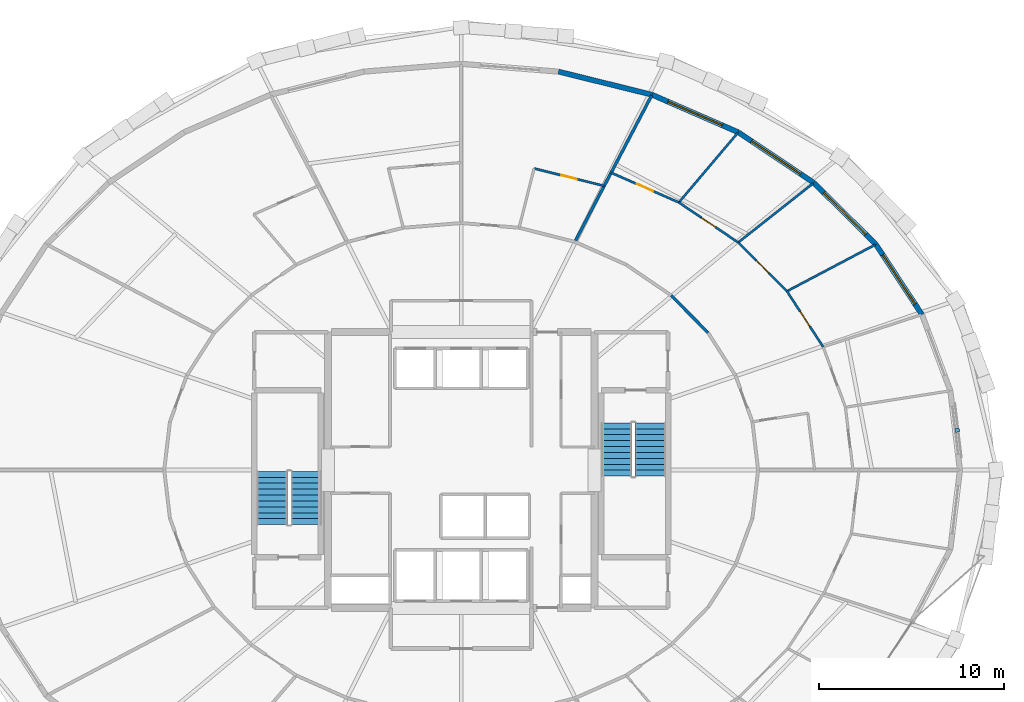
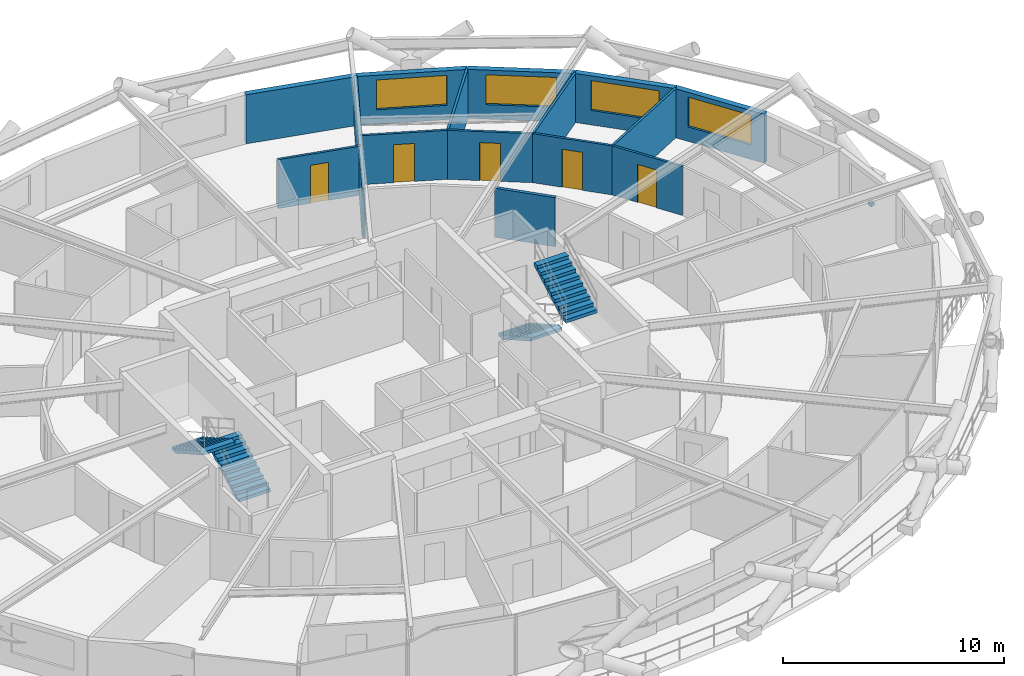
# One storey, part 17 of 19: 15 walls, 5 doors, 4 stair flights, 4 windows, 1 discrete accessory, 9 openings, 2 elements without a shape of their own.
"""IFC4 building model written with IfcOpenShell, lengths in metres."""

from ifc_helpers import new_model, si_unit, direction, frame, frame_2d, origin, origin_2d, place, context, subcontext, project, spatial, polyline, rectangle, outline, extrude, material, layer, layer_set, type_object, element, fill, aggregate, save


model = new_model("IFC4")

# Units and contexts
model_context = context("Model", 3, precision=1e-05, world=origin(), true_north=direction((0.0, 1.0)))
body_context = subcontext(model_context, "Body", "Model", "MODEL_VIEW")
ifc_project = project(units=[si_unit("LENGTHUNIT", "METRE"), si_unit("AREAUNIT", "SQUARE_METRE"), si_unit("VOLUMEUNIT", "CUBIC_METRE"), si_unit("PLANEANGLEUNIT", "RADIAN"), si_unit("MASSUNIT", "GRAM", prefix="KILO")], contexts=[model_context])

# Site, building, storey
site_placement = place(None, origin())
site = spatial("IfcSite", under=ifc_project, at=site_placement, CompositionType="ELEMENT")
building_placement = place(site_placement, origin())
building = spatial("IfcBuilding", under=site, at=building_placement, Name="Veldorina Hangang Commons", CompositionType="ELEMENT")
storey_placement = place(building_placement, frame((0.0, 0.0, 70.0)))
storey = spatial("IfcBuildingStorey", under=building, at=storey_placement, Name="L17", CompositionType="ELEMENT", Elevation=70.0)

# Wall, opening, window
ifc_material_1 = material(Name="Stone Roman Travertine", Category="masonry")
ifc_layer_1 = layer(ifc_material_1, 0.280029296875)
ifc_layer_set_1 = layer_set([ifc_layer_1], Name="Stone Roman Travertine")
wall_type_1 = type_object("IfcWallType", Name="EW-TRAV-280", PredefinedType="STANDARD", material=ifc_layer_set_1)
wall_1_placement = place(storey_placement, frame((56.90380859375, 32.402099609375, 0.0), z_axis=(0.0, 0.0, 1.0), x_axis=(-0.548642346735, 0.836057160348, 0.0)))
wall_1 = element("IfcWall", 1, at=wall_1_placement, inside=storey, type_object=wall_type_1, Name="L17 travertine facade wall 02", PredefinedType="STANDARD", context=body_context, shape_type="SweptSolid", body=[
    extrude(rectangle(XDim=4.540283203125, YDim=0.280029296875, at=frame_2d((2.27001953125, 0.0))), origin(), (0.0, 0.0, 1.0), 2.7099609375),
])
opening_1_placement = place(wall_1_placement, frame((0.670166015625, 0.0, 0.800048828125)))
opening_1 = element("IfcOpeningElement", 2, at=opening_1_placement, cuts=wall_1, Name="Opening W-01", PredefinedType="OPENING", context=body_context, shape_type="SweptSolid", body=[
    extrude(rectangle(XDim=3.199951171875, YDim=1.64990234375, at=frame_2d((1.60009765625, 0.824951171875))), frame((0.0, 0.14990234375, 0.0), z_axis=(0.0, -1.0, 0.0), x_axis=(1.0, 0.0, 0.0)), (0.0, 0.0, 1.0), 0.300048828125),
])
ifc_material_2 = material(Name="Glass Low-E Triple IGU", Category="glass")
window_type = type_object("IfcWindowType", Name="WIN-TWR-3200", PartitioningType="SINGLE_PANEL", PredefinedType="WINDOW", material=ifc_material_2)
window_1_placement = place(opening_1_placement, origin())
window_1 = element("IfcWindow", 3, at=window_1_placement, inside=storey, type_object=window_type, Name="L17 facade window 02", OverallHeight=1.64990234375, OverallWidth=3.199951171875, PartitioningType="SINGLE_PANEL", PredefinedType="WINDOW", context=body_context, shape_type="SweptSolid", body=[
    extrude(rectangle(XDim=3.199951171875, YDim=1.64990234375, at=frame_2d((1.60009765625, 0.824951171875))), frame((0.0, 0.030029296875, 0.0), z_axis=(0.0, -1.0, 0.0), x_axis=(1.0, 0.0, 0.0)), (0.0, 0.0, 1.0), 0.06005859375),
])
fill(opening_1, window_1)

wall_2_placement = place(storey_placement, frame((54.412841796875, 36.197998046875, 0.0), z_axis=(0.0, 0.0, 1.0), x_axis=(-0.709763836868, 0.704439703505, 0.0)))
wall_2 = element("IfcWall", 4, at=wall_2_placement, inside=storey, type_object=wall_type_1, Name="L17 travertine facade wall 03", PredefinedType="STANDARD", context=body_context, shape_type="SweptSolid", body=[
    extrude(rectangle(XDim=4.72314453125, YDim=0.280029296875, at=frame_2d((2.361572265625, 0.0))), origin(), (0.0, 0.0, 1.0), 2.7099609375),
])
opening_2_placement = place(wall_2_placement, frame((0.761474609375, 0.0, 0.800048828125)))
opening_2 = element("IfcOpeningElement", 5, at=opening_2_placement, cuts=wall_2, Name="Opening W-01", PredefinedType="OPENING", context=body_context, shape_type="SweptSolid", body=[
    extrude(rectangle(XDim=3.199951171875, YDim=1.64990234375, at=frame_2d((1.60009765625, 0.824951171875))), frame((0.0, 0.14990234375, 0.0), z_axis=(0.0, -1.0, 0.0), x_axis=(1.0, 0.0, 0.0)), (0.0, 0.0, 1.0), 0.300048828125),
])
window_2_placement = place(opening_2_placement, origin())
window_2 = element("IfcWindow", 6, at=window_2_placement, inside=storey, type_object=window_type, Name="L17 facade window 03", OverallHeight=1.64990234375, OverallWidth=3.199951171875, PartitioningType="SINGLE_PANEL", PredefinedType="WINDOW", context=body_context, shape_type="SweptSolid", body=[
    extrude(rectangle(XDim=3.199951171875, YDim=1.64990234375, at=frame_2d((1.60009765625, 0.824951171875))), frame((0.0, 0.030029296875, 0.0), z_axis=(0.0, -1.0, 0.0), x_axis=(1.0, 0.0, 0.0)), (0.0, 0.0, 1.0), 0.06005859375),
])
fill(opening_2, window_2)

wall_3_placement = place(storey_placement, frame((51.060546875, 39.525146484375, 0.0), z_axis=(0.0, 0.0, 1.0), x_axis=(-0.831361640375, 0.555731790446, 0.0)))
wall_3 = element("IfcWall", 7, at=wall_3_placement, inside=storey, type_object=wall_type_1, Name="L17 travertine facade wall 04", PredefinedType="STANDARD", context=body_context, shape_type="SweptSolid", body=[
    extrude(rectangle(XDim=4.913330078125, YDim=0.280029296875, at=frame_2d((2.45654296875, 0.0))), origin(), (0.0, 0.0, 1.0), 2.7099609375),
])
opening_3_placement = place(wall_3_placement, frame((0.856689453125, 0.0, 0.800048828125)))
opening_3 = element("IfcOpeningElement", 8, at=opening_3_placement, cuts=wall_3, Name="Opening W-01", PredefinedType="OPENING", context=body_context, shape_type="SweptSolid", body=[
    extrude(rectangle(XDim=3.199951171875, YDim=1.64990234375, at=frame_2d((1.60009765625, 0.824951171875))), frame((0.0, 0.14990234375, 0.0), z_axis=(0.0, -1.0, 0.0), x_axis=(1.0, 0.0, 0.0)), (0.0, 0.0, 1.0), 0.300048828125),
])
window_3_placement = place(opening_3_placement, origin())
window_3 = element("IfcWindow", 9, at=window_3_placement, inside=storey, type_object=window_type, Name="L17 facade window 04", OverallHeight=1.64990234375, OverallWidth=3.199951171875, PartitioningType="SINGLE_PANEL", PredefinedType="WINDOW", context=body_context, shape_type="SweptSolid", body=[
    extrude(rectangle(XDim=3.199951171875, YDim=1.64990234375, at=frame_2d((1.60009765625, 0.824951171875))), frame((0.0, 0.030029296875, 0.0), z_axis=(0.0, -1.0, 0.0), x_axis=(1.0, 0.0, 0.0)), (0.0, 0.0, 1.0), 0.06005859375),
])
fill(opening_3, window_3)

wall_4_placement = place(storey_placement, frame((46.975830078125, 42.255615234375, 0.0), z_axis=(0.0, 0.0, 1.0), x_axis=(-0.916886688659, 0.399147591951, 0.0)))
wall_4 = element("IfcWall", 10, at=wall_4_placement, inside=storey, type_object=wall_type_1, Name="L17 travertine facade wall 05", PredefinedType="STANDARD", context=body_context, shape_type="SweptSolid", body=[
    extrude(rectangle(XDim=5.082763671875, YDim=0.280029296875, at=frame_2d((2.54150390625, 0.0))), origin(), (0.0, 0.0, 1.0), 2.7099609375),
])
opening_4_placement = place(wall_4_placement, frame((0.94140625, 0.0, 0.800048828125)))
opening_4 = element("IfcOpeningElement", 11, at=opening_4_placement, cuts=wall_4, Name="Opening W-01", PredefinedType="OPENING", context=body_context, shape_type="SweptSolid", body=[
    extrude(rectangle(XDim=3.199951171875, YDim=1.64990234375, at=frame_2d((1.60009765625, 0.824951171875))), frame((0.0, 0.14990234375, 0.0), z_axis=(0.0, -1.0, 0.0), x_axis=(1.0, 0.0, 0.0)), (0.0, 0.0, 1.0), 0.300048828125),
])
window_4_placement = place(opening_4_placement, origin())
window_4 = element("IfcWindow", 12, at=window_4_placement, inside=storey, type_object=window_type, Name="L17 facade window 05", OverallHeight=1.64990234375, OverallWidth=3.199951171875, PartitioningType="SINGLE_PANEL", PredefinedType="WINDOW", context=body_context, shape_type="SweptSolid", body=[
    extrude(rectangle(XDim=3.199951171875, YDim=1.64990234375, at=frame_2d((1.60009765625, 0.824951171875))), frame((0.0, 0.030029296875, 0.0), z_axis=(0.0, -1.0, 0.0), x_axis=(1.0, 0.0, 0.0)), (0.0, 0.0, 1.0), 0.06005859375),
])
fill(opening_4, window_4)

# Walls
wall_5_placement = place(storey_placement, frame((42.3154296875, 44.284423828125, 0.0), z_axis=(0.0, 0.0, 1.0), x_axis=(-0.970800603404, 0.239887866368, 0.0)))
element("IfcWall", 13, at=wall_5_placement, inside=storey, type_object=wall_type_1, Name="L17 travertine facade wall 06", PredefinedType="STANDARD", context=body_context, shape_type="SweptSolid", body=[
    extrude(rectangle(XDim=5.208740234375, YDim=0.280029296875, at=frame_2d((2.6044921875, 0.0))), origin(), (0.0, 0.0, 1.0), 2.7099609375),
])
ifc_material_3 = material(Name="Gypsum Fire-Rated Twin Stud Wall", Category="gypsum")
ifc_layer_2 = layer(ifc_material_3, 0.159912109375)
ifc_layer_set_2 = layer_set([ifc_layer_2], Name="Gypsum Fire-Rated Twin Stud Wall")
wall_type_2 = type_object("IfcWallType", Name="WL-FIRE-160", PredefinedType="SOLIDWALL", material=ifc_layer_set_2)
wall_6_placement = place(storey_placement, frame((45.34521484375, 31.4169921875, 0.0), z_axis=(0.0, 0.0, 1.0), x_axis=(-0.702366174226, 0.711815816981, 0.0)))
element("IfcWall", 14, at=wall_6_placement, inside=storey, type_object=wall_type_2, Name="L17 Corridor outer wall 03 048", PredefinedType="SOLIDWALL", context=body_context, shape_type="SweptSolid", body=[
    extrude(rectangle(XDim=2.842041015625, YDim=0.159912109375, at=frame_2d((1.4208984375, 0.0))), origin(), (0.0, 0.0, 1.0), 2.7099609375),
])
wall_7_placement = place(storey_placement, frame((38.14208984375, 36.333740234375, 0.0), z_axis=(0.0, 0.0, 1.0), x_axis=(0.464766918633, 0.885433064294, 0.0)))
element("IfcWall", 15, at=wall_7_placement, inside=storey, type_object=wall_type_2, Name="L17 Unit party wall 06 109", PredefinedType="SOLIDWALL", context=body_context, shape_type="SweptSolid", body=[
    extrude(rectangle(XDim=8.929443359375, YDim=0.159912109375, at=frame_2d((4.46484375, 0.0))), origin(), (0.0, 0.0, 1.0), 2.7099609375),
])

# Wall, opening, door
ifc_material_4 = material(Name="Gypsum Acoustic Stud Partition", Category="gypsum")
ifc_layer_3 = layer(ifc_material_4, 0.1201171875)
ifc_layer_set_3 = layer_set([ifc_layer_3], Name="Gypsum Acoustic Stud Partition")
wall_type_3 = type_object("IfcWallType", Name="WL-PART-120", PredefinedType="PARTITIONING", material=ifc_layer_set_3)
wall_8_placement = place(storey_placement, frame((51.563720703125, 30.65673828125, 0.0), z_axis=(0.0, 0.0, 1.0), x_axis=(-0.545385321698, 0.838185451363, 0.0)))
wall_8 = element("IfcWall", 16, at=wall_8_placement, inside=storey, type_object=wall_type_3, Name="L17 Cluster 3 bed 3 front wall 101", PredefinedType="PARTITIONING", context=body_context, shape_type="SweptSolid", body=[
    extrude(rectangle(XDim=3.587890625, YDim=0.1201171875, at=frame_2d((1.7939453125, 0.0))), origin(), (0.0, 0.0, 1.0), 2.7099609375),
])
opening_5_placement = place(wall_8_placement, frame((1.319091796875, 0.0, 0.0)))
opening_5 = element("IfcOpeningElement", 17, at=opening_5_placement, cuts=wall_8, Name="Opening D-02", PredefinedType="OPENING", context=body_context, shape_type="SweptSolid", body=[
    extrude(rectangle(XDim=0.949951171875, YDim=2.10009765625, at=frame_2d((0.47509765625, 1.050048828125))), frame((0.0, 0.070068359375, 0.0), z_axis=(0.0, -1.0, 0.0), x_axis=(1.0, 0.0, 0.0)), (0.0, 0.0, 1.0), 0.14013671875),
])
ifc_material_5 = material(Name="Timber Solid Core Acoustic", Category="wood")
door_type_1 = type_object("IfcDoorType", Name="DR-INT-950", OperationType="SINGLE_SWING_LEFT", PredefinedType="DOOR", material=ifc_material_5)
door_1_placement = place(opening_5_placement, origin())
door_1 = element("IfcDoor", 18, at=door_1_placement, inside=storey, type_object=door_type_1, Name="L17 Cluster 3 bed 3 door 031", OperationType="SINGLE_SWING_LEFT", OverallHeight=2.10009765625, OverallWidth=0.949951171875, PredefinedType="DOOR", context=body_context, shape_type="SweptSolid", body=[
    extrude(rectangle(XDim=0.949951171875, YDim=2.10009765625, at=frame_2d((0.47509765625, 1.050048828125))), frame((0.0, 0.02490234375, 0.0), z_axis=(0.0, -1.0, 0.0), x_axis=(1.0, 0.0, 0.0)), (0.0, 0.0, 1.0), 0.050048828125),
])
fill(opening_5, door_1)

wall_9_placement = place(storey_placement, frame((49.60693359375, 33.6640625, 0.0), z_axis=(0.0, 0.0, 1.0), x_axis=(-0.706811859844, 0.707401579575, 0.0)))
wall_9 = element("IfcWall", 19, at=wall_9_placement, inside=storey, type_object=wall_type_3, Name="L17 Cluster 3 bed 4 front wall 103", PredefinedType="PARTITIONING", context=body_context, shape_type="SweptSolid", body=[
    extrude(rectangle(XDim=3.725830078125, YDim=0.1201171875, at=frame_2d((1.86279296875, 0.0))), origin(), (0.0, 0.0, 1.0), 2.7099609375),
])
opening_6_placement = place(wall_9_placement, frame((1.387939453125, 0.0, 0.0)))
opening_6 = element("IfcOpeningElement", 20, at=opening_6_placement, cuts=wall_9, Name="Opening D-02", PredefinedType="OPENING", context=body_context, shape_type="SweptSolid", body=[
    extrude(rectangle(XDim=0.949951171875, YDim=2.10009765625, at=frame_2d((0.47509765625, 1.050048828125))), frame((0.0, 0.070068359375, 0.0), z_axis=(0.0, -1.0, 0.0), x_axis=(1.0, 0.0, 0.0)), (0.0, 0.0, 1.0), 0.14013671875),
])
door_2_placement = place(opening_6_placement, origin())
door_2 = element("IfcDoor", 21, at=door_2_placement, inside=storey, type_object=door_type_1, Name="L17 Cluster 3 bed 4 door 032", OperationType="SINGLE_SWING_RIGHT", OverallHeight=2.10009765625, OverallWidth=0.949951171875, PredefinedType="DOOR", context=body_context, shape_type="SweptSolid", body=[
    extrude(rectangle(XDim=0.949951171875, YDim=2.10009765625, at=frame_2d((0.47509765625, 1.050048828125))), frame((0.0, 0.02490234375, 0.0), z_axis=(0.0, -1.0, 0.0), x_axis=(1.0, 0.0, 0.0)), (0.0, 0.0, 1.0), 0.050048828125),
])
fill(opening_6, door_2)

# Wall
wall_10_placement = place(storey_placement, frame((49.60693359375, 33.6640625, 0.0), z_axis=(0.0, 0.0, 1.0), x_axis=(0.884567739653, 0.466411742955, 0.0)))
element("IfcWall", 22, at=wall_10_placement, inside=storey, type_object=wall_type_3, Name="L17 Cluster 3 bed divider 3 104", PredefinedType="PARTITIONING", context=body_context, shape_type="SweptSolid", body=[
    extrude(rectangle(XDim=5.383056640625, YDim=0.1201171875, at=frame_2d((2.69140625, 0.0))), origin(), (0.0, 0.0, 1.0), 2.7099609375),
])

# Wall, opening, door
wall_11_placement = place(storey_placement, frame((46.973388671875, 36.2998046875, 0.0), z_axis=(0.0, 0.0, 1.0), x_axis=(-0.829156454693, 0.559016613028, 0.0)))
wall_11 = element("IfcWall", 23, at=wall_11_placement, inside=storey, type_object=wall_type_3, Name="L17 Cluster 3 bed 5 front wall 105", PredefinedType="PARTITIONING", context=body_context, shape_type="SweptSolid", body=[
    extrude(rectangle(XDim=3.869873046875, YDim=0.1201171875, at=frame_2d((1.93505859375, 0.0))), origin(), (0.0, 0.0, 1.0), 2.7099609375),
])
opening_7_placement = place(wall_11_placement, frame((1.4599609375, 0.0, 0.0)))
opening_7 = element("IfcOpeningElement", 24, at=opening_7_placement, cuts=wall_11, Name="Opening D-02", PredefinedType="OPENING", context=body_context, shape_type="SweptSolid", body=[
    extrude(rectangle(XDim=0.949951171875, YDim=2.10009765625, at=frame_2d((0.47509765625, 1.050048828125))), frame((0.0, 0.070068359375, 0.0), z_axis=(0.0, -1.0, 0.0), x_axis=(1.0, 0.0, 0.0)), (0.0, 0.0, 1.0), 0.14013671875),
])
door_3_placement = place(opening_7_placement, origin())
door_3 = element("IfcDoor", 25, at=door_3_placement, inside=storey, type_object=door_type_1, Name="L17 Cluster 3 bed 5 door 033", OperationType="SINGLE_SWING_LEFT", OverallHeight=2.10009765625, OverallWidth=0.949951171875, PredefinedType="DOOR", context=body_context, shape_type="SweptSolid", body=[
    extrude(rectangle(XDim=0.949951171875, YDim=2.10009765625, at=frame_2d((0.47509765625, 1.050048828125))), frame((0.0, 0.02490234375, 0.0), z_axis=(0.0, -1.0, 0.0), x_axis=(1.0, 0.0, 0.0)), (0.0, 0.0, 1.0), 0.050048828125),
])
fill(opening_7, door_3)

# Wall
wall_12_placement = place(storey_placement, frame((46.973388671875, 36.2998046875, 0.0), z_axis=(0.0, 0.0, 1.0), x_axis=(0.785008791787, 0.619484621938, 0.0)))
element("IfcWall", 26, at=wall_12_placement, inside=storey, type_object=wall_type_3, Name="L17 Cluster 3 bed divider 4 106", PredefinedType="PARTITIONING", context=body_context, shape_type="SweptSolid", body=[
    extrude(rectangle(XDim=5.156494140625, YDim=0.1201171875, at=frame_2d((2.578125, 0.0))), origin(), (0.0, 0.0, 1.0), 2.7099609375),
])

# Wall, opening, door
wall_13_placement = place(storey_placement, frame((43.7646484375, 38.463134765625, 0.0), z_axis=(0.0, 0.0, 1.0), x_axis=(-0.915635259457, 0.402010039228, 0.0)))
wall_13 = element("IfcWall", 27, at=wall_13_placement, inside=storey, type_object=wall_type_3, Name="L17 Cluster 3 bed 6 front wall 107", PredefinedType="PARTITIONING", context=body_context, shape_type="SweptSolid", body=[
    extrude(rectangle(XDim=3.99853515625, YDim=0.1201171875, at=frame_2d((1.999267578125, 0.0))), origin(), (0.0, 0.0, 1.0), 2.7099609375),
])
opening_8_placement = place(wall_13_placement, frame((1.524169921875, 0.0, 0.0)))
opening_8 = element("IfcOpeningElement", 28, at=opening_8_placement, cuts=wall_13, Name="Opening D-02", PredefinedType="OPENING", context=body_context, shape_type="SweptSolid", body=[
    extrude(rectangle(XDim=0.949951171875, YDim=2.10009765625, at=frame_2d((0.47509765625, 1.050048828125))), frame((0.0, 0.070068359375, 0.0), z_axis=(0.0, -1.0, 0.0), x_axis=(1.0, 0.0, 0.0)), (0.0, 0.0, 1.0), 0.14013671875),
])
door_4_placement = place(opening_8_placement, origin())
door_4 = element("IfcDoor", 29, at=door_4_placement, inside=storey, type_object=door_type_1, Name="L17 Cluster 3 bed 6 door 034", OperationType="SINGLE_SWING_RIGHT", OverallHeight=2.10009765625, OverallWidth=0.949951171875, PredefinedType="DOOR", context=body_context, shape_type="SweptSolid", body=[
    extrude(rectangle(XDim=0.949951171875, YDim=2.10009765625, at=frame_2d((0.47509765625, 1.050048828125))), frame((0.0, 0.02490234375, 0.0), z_axis=(0.0, -1.0, 0.0), x_axis=(1.0, 0.0, 0.0)), (0.0, 0.0, 1.0), 0.050048828125),
])
fill(opening_8, door_4)

# Wall
wall_14_placement = place(storey_placement, frame((43.7646484375, 38.463134765625, 0.0), z_axis=(0.0, 0.0, 1.0), x_axis=(0.646222517635, 0.763149040294, 0.0)))
element("IfcWall", 30, at=wall_14_placement, inside=storey, type_object=wall_type_3, Name="L17 Cluster 3 bed divider 5 108", PredefinedType="PARTITIONING", context=body_context, shape_type="SweptSolid", body=[
    extrude(rectangle(XDim=4.919189453125, YDim=0.1201171875, at=frame_2d((2.45947265625, 0.0))), origin(), (0.0, 0.0, 1.0), 2.7099609375),
])

# Wall, opening, door
wall_15_placement = place(storey_placement, frame((39.72802734375, 39.35498046875, 0.0), z_axis=(0.0, 0.0, 1.0), x_axis=(-0.970219689249, 0.242226659544, 0.0)))
wall_15 = element("IfcWall", 31, at=wall_15_placement, inside=storey, type_object=wall_type_3, Name="L17 Studio 4 bath front wall 110", PredefinedType="PARTITIONING", context=body_context, shape_type="SweptSolid", body=[
    extrude(rectangle(XDim=3.904541015625, YDim=0.1201171875, at=frame_2d((1.9521484375, 0.0))), origin(), (0.0, 0.0, 1.0), 2.7099609375),
])
opening_9_placement = place(wall_15_placement, frame((1.522216796875, 0.0, 0.0)))
opening_9 = element("IfcOpeningElement", 32, at=opening_9_placement, cuts=wall_15, Name="Opening D-01", PredefinedType="OPENING", context=body_context, shape_type="SweptSolid", body=[
    extrude(rectangle(XDim=0.860107421875, YDim=2.10009765625, at=frame_2d((0.43017578125, 1.050048828125))), frame((0.0, 0.070068359375, 0.0), z_axis=(0.0, -1.0, 0.0), x_axis=(1.0, 0.0, 0.0)), (0.0, 0.0, 1.0), 0.14013671875),
])
ifc_material_6 = material(Name="Timber Moisture-Resistant Core", Category="wood")
door_type_2 = type_object("IfcDoorType", Name="DR-WET-860", OperationType="SINGLE_SWING_LEFT", PredefinedType="DOOR", material=ifc_material_6)
door_5_placement = place(opening_9_placement, origin())
door_5 = element("IfcDoor", 33, at=door_5_placement, inside=storey, type_object=door_type_2, Name="L17 Studio 4 bathroom door 035", OperationType="SINGLE_SWING_LEFT", OverallHeight=2.10009765625, OverallWidth=0.860107421875, PredefinedType="DOOR", context=body_context, shape_type="SweptSolid", body=[
    extrude(rectangle(XDim=0.860107421875, YDim=2.10009765625, at=frame_2d((0.43017578125, 1.050048828125))), frame((0.0, 0.02490234375, 0.0), z_axis=(0.0, -1.0, 0.0), x_axis=(1.0, 0.0, 0.0)), (0.0, 0.0, 1.0), 0.050048828125),
])
fill(opening_9, door_5)

# Stair, stair flights
ifc_material_7 = material(Name="Concrete C40/50", Category="concrete")
stair_type = type_object("IfcStairType", Name="STR-DOG-1650-20R", PredefinedType="HALF_TURN_STAIR", material=ifc_material_7)
stair_1_placement = place(storey_placement, origin())
stair_1 = element("IfcStair", 34, at=stair_1_placement, inside=storey, type_object=stair_type, Name="L17 Exit stair ST-1", PredefinedType="HALF_TURN_STAIR")
stair_flight_type = type_object("IfcStairFlightType", Name="SFL-STR-1650-20R", PredefinedType="STRAIGHT", material=ifc_material_7)
stair_flight_1_placement = place(storey_placement, frame((23.625, 21.050048828125, 0.0), z_axis=(0.0, 0.0, 1.0), x_axis=(0.0, 1.0, 0.0)))
stair_flight_1 = element("IfcStairFlight", 35, at=stair_flight_1_placement, type_object=stair_flight_type, Name="ST-1 flight 1", NumberOfRisers=10, NumberOfTreads=9, PredefinedType="STRAIGHT", RiserHeight=0.18, TreadLength=0.32, context=body_context, shape_type="SweptSolid", body=[
    extrude(outline(polyline([(0.0, 0.0), (0.0, 0.179931640625), (0.320068359375, 0.179931640625), (0.320068359375, 0.360107421875), (0.639892578125, 0.360107421875), (0.639892578125, 0.5400390625), (0.9599609375, 0.5400390625), (0.9599609375, 0.719970703125), (1.280029296875, 0.719970703125), (1.280029296875, 0.89990234375), (1.60009765625, 0.89990234375), (1.60009765625, 1.080078125), (1.919921875, 1.080078125), (1.919921875, 1.260009765625), (2.239990234375, 1.260009765625), (2.239990234375, 1.43994140625), (2.56005859375, 1.43994140625), (2.56005859375, 1.6201171875), (2.8798828125, 1.6201171875), (2.8798828125, 1.800048828125), (2.8798828125, 1.447998046875), (0.3056640625, 0.0), (0.0, 0.0)])), frame((0.0, 0.824951171875, 0.0), z_axis=(0.0, -1.0, 0.0), x_axis=(1.0, 0.0, 0.0)), (0.0, 0.0, 1.0), 1.64990234375),
])
stair_flight_2_placement = place(storey_placement, frame((21.77490234375, 23.929931640625, 1.800048828125), z_axis=(0.0, 0.0, 1.0), x_axis=(0.0, -1.0, 0.0)))
stair_flight_2 = element("IfcStairFlight", 36, at=stair_flight_2_placement, type_object=stair_flight_type, Name="ST-1 flight 2", NumberOfRisers=10, NumberOfTreads=9, PredefinedType="STRAIGHT", RiserHeight=0.18, TreadLength=0.32, context=body_context, shape_type="SweptSolid", body=[
    extrude(outline(polyline([(0.0, 0.0), (0.0, 0.179931640625), (0.320068359375, 0.179931640625), (0.320068359375, 0.360107421875), (0.639892578125, 0.360107421875), (0.639892578125, 0.5400390625), (0.9599609375, 0.5400390625), (0.9599609375, 0.719970703125), (1.280029296875, 0.719970703125), (1.280029296875, 0.89990234375), (1.60009765625, 0.89990234375), (1.60009765625, 1.080078125), (1.919921875, 1.080078125), (1.919921875, 1.260009765625), (2.239990234375, 1.260009765625), (2.239990234375, 1.43994140625), (2.56005859375, 1.43994140625), (2.56005859375, 1.6201171875), (2.8798828125, 1.6201171875), (2.8798828125, 1.800048828125), (2.8798828125, 1.447998046875), (0.3056640625, 0.0), (0.0, 0.0)])), frame((0.0, 0.824951171875, 0.0), z_axis=(0.0, -1.0, 0.0), x_axis=(1.0, 0.0, 0.0)), (0.0, 0.0, 1.0), 1.64990234375),
])
aggregate(stair_1, [stair_flight_1, stair_flight_2])

stair_2_placement = place(storey_placement, origin())
stair_2 = element("IfcStair", 37, at=stair_2_placement, inside=storey, type_object=stair_type, Name="L17 Exit stair ST-2", PredefinedType="HALF_TURN_STAIR")
stair_flight_3_placement = place(storey_placement, frame((40.375, 26.550048828125, 0.0), z_axis=(0.0, 0.0, 1.0), x_axis=(0.0, -1.0, 0.0)))
stair_flight_3 = element("IfcStairFlight", 38, at=stair_flight_3_placement, type_object=stair_flight_type, Name="ST-2 flight 1", NumberOfRisers=10, NumberOfTreads=9, PredefinedType="STRAIGHT", RiserHeight=0.18, TreadLength=0.32, context=body_context, shape_type="SweptSolid", body=[
    extrude(outline(polyline([(0.0, 0.0), (0.0, 0.179931640625), (0.320068359375, 0.179931640625), (0.320068359375, 0.360107421875), (0.639892578125, 0.360107421875), (0.639892578125, 0.5400390625), (0.9599609375, 0.5400390625), (0.9599609375, 0.719970703125), (1.280029296875, 0.719970703125), (1.280029296875, 0.89990234375), (1.60009765625, 0.89990234375), (1.60009765625, 1.080078125), (1.919921875, 1.080078125), (1.919921875, 1.260009765625), (2.239990234375, 1.260009765625), (2.239990234375, 1.43994140625), (2.56005859375, 1.43994140625), (2.56005859375, 1.6201171875), (2.8798828125, 1.6201171875), (2.8798828125, 1.800048828125), (2.8798828125, 1.447998046875), (0.3056640625, 0.0), (0.0, 0.0)])), frame((0.0, 0.824951171875, 0.0), z_axis=(0.0, -1.0, 0.0), x_axis=(1.0, 0.0, 0.0)), (0.0, 0.0, 1.0), 1.64990234375),
])
stair_flight_4_placement = place(storey_placement, frame((42.22509765625, 23.669921875, 1.800048828125), z_axis=(0.0, 0.0, 1.0), x_axis=(0.0, 1.0, 0.0)))
stair_flight_4 = element("IfcStairFlight", 39, at=stair_flight_4_placement, type_object=stair_flight_type, Name="ST-2 flight 2", NumberOfRisers=10, NumberOfTreads=9, PredefinedType="STRAIGHT", RiserHeight=0.18, TreadLength=0.32, context=body_context, shape_type="SweptSolid", body=[
    extrude(outline(polyline([(0.0, 0.0), (0.0, 0.179931640625), (0.320068359375, 0.179931640625), (0.320068359375, 0.360107421875), (0.639892578125, 0.360107421875), (0.639892578125, 0.5400390625), (0.9599609375, 0.5400390625), (0.9599609375, 0.719970703125), (1.280029296875, 0.719970703125), (1.280029296875, 0.89990234375), (1.60009765625, 0.89990234375), (1.60009765625, 1.080078125), (1.919921875, 1.080078125), (1.919921875, 1.260009765625), (2.239990234375, 1.260009765625), (2.239990234375, 1.43994140625), (2.56005859375, 1.43994140625), (2.56005859375, 1.6201171875), (2.8798828125, 1.6201171875), (2.8798828125, 1.800048828125), (2.8798828125, 1.447998046875), (0.3056640625, 0.0), (0.0, 0.0)])), frame((0.0, 0.824951171875, 0.0), z_axis=(0.0, -1.0, 0.0), x_axis=(1.0, 0.0, 0.0)), (0.0, 0.0, 1.0), 1.64990234375),
])
aggregate(stair_2, [stair_flight_3, stair_flight_4])

# Discrete accessory
ifc_material_8 = material(Name="Stainless Steel Brushed 316", Category="steel")
discrete_accessory_type = type_object("IfcDiscreteAccessoryType", Name="BRK-SCR-SS", PredefinedType="BRACKET", material=ifc_material_8)
discrete_accessory_placement = place(storey_placement, frame((58.81591796875, 26.156005859375, 0.72021484375), z_axis=(0.0, 0.0, 1.0), x_axis=(-0.12003287687, 0.992769917186, 0.0)))
element("IfcDiscreteAccessory", 40, at=discrete_accessory_placement, inside=storey, type_object=discrete_accessory_type, Name="L17 solar screen support bracket 00", PredefinedType="BRACKET", context=body_context, shape_type="SweptSolid", body=[
    extrude(rectangle(XDim=0.219970703125, YDim=0.219970703125, at=origin_2d()), origin(), (0.0, 0.0, 1.0), 0.159912109375),
])

save(model, "model.ifc")
